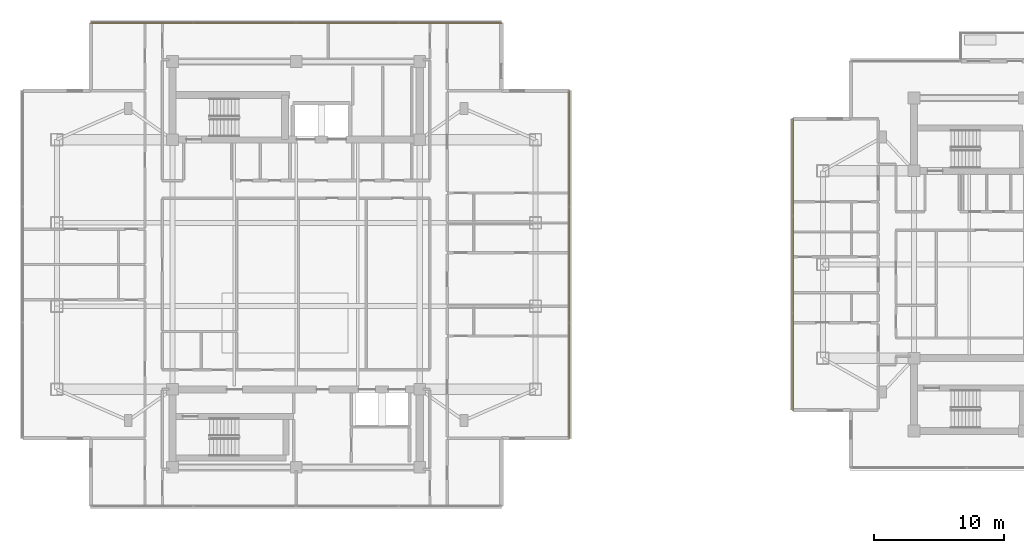
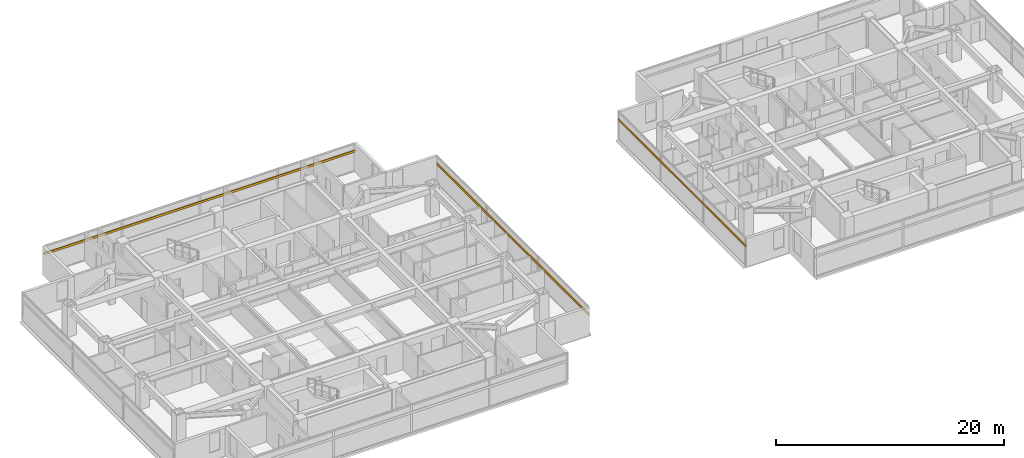
# One storey, part 23 of 26: 3 shading devices.
"""IFC4 building model written with IfcOpenShell, lengths in metres."""

from ifc_helpers import new_model, si_unit, direction, frame, origin, origin_2d, place, context, subcontext, project, spatial, rectangle, extrude, material, material_profile, profile_set, type_object, element, save


model = new_model("IFC4")

# Units and contexts
model_context = context("Model", 3, precision=1e-05, world=origin(), true_north=direction((0.0, 1.0)))
body_context = subcontext(model_context, "Body", "Model", "MODEL_VIEW")
ifc_project = project(units=[si_unit("LENGTHUNIT", "METRE"), si_unit("AREAUNIT", "SQUARE_METRE"), si_unit("VOLUMEUNIT", "CUBIC_METRE"), si_unit("PLANEANGLEUNIT", "RADIAN"), si_unit("MASSUNIT", "GRAM", prefix="KILO")], contexts=[model_context])

# Site, building, storey
site_placement = place(None, origin())
site = spatial("IfcSite", under=ifc_project, at=site_placement, CompositionType="ELEMENT")
building_placement = place(site_placement, origin())
building = spatial("IfcBuilding", under=site, at=building_placement, Name="Mirazonda Arch Towers", CompositionType="ELEMENT")
storey_placement = place(building_placement, frame((0.0, 0.0, 203.14990234375)))
storey = spatial("IfcBuildingStorey", under=building, at=storey_placement, Name="L58", CompositionType="ELEMENT", Elevation=203.14990234375)

# Shading devices
ifc_material = material(Name="Kiln-Fired Architectural Terracotta", Category="masonry")
ifc_material_profile_1 = material_profile(ifc_material, rectangle(XDim=0.1201171875, YDim=0.239990234375, at=origin_2d()), Name="TERRA-BAG-120x240")
ifc_profile_set_1 = profile_set([ifc_material_profile_1], Name="Kiln-Fired Architectural Terracotta")
shading_device_type_1 = type_object("IfcShadingDeviceType", Name="BAGUETTE-1", PredefinedType="USERDEFINED", material=ifc_profile_set_1)
shading_device_1_placement = place(storey_placement, frame((41.510009765625, 14.636962890625, 2.181640625), z_axis=(0.0, 1.0, 0.0), x_axis=(-1.0, 0.0, 0.0)))
element("IfcShadingDevice", 1, at=shading_device_1_placement, inside=storey, type_object=shading_device_type_1, Name="L58 Glazed Terracotta Sun-Screen Baguette CW-L58-T1-E", ObjectType="BAGUETTE", PredefinedType="USERDEFINED", context=body_context, shape_type="SweptSolid", body=[
    extrude(rectangle(XDim=0.1201171875, YDim=0.239990234375, at=origin_2d()), origin(), (0.0, 0.0, 1.0), 26.72607421875),
])
shading_device_2_placement = place(storey_placement, frame((4.705078125, 46.577880859375, 2.181640625), z_axis=(1.0, 0.0, 0.0), x_axis=(0.0, 1.0, 0.0)))
element("IfcShadingDevice", 2, at=shading_device_2_placement, inside=storey, type_object=shading_device_type_1, Name="L58 Glazed Terracotta Sun-Screen Baguette CW-L58-T1-N", ObjectType="BAGUETTE", PredefinedType="USERDEFINED", context=body_context, shape_type="SweptSolid", body=[
    extrude(rectangle(XDim=0.1201171875, YDim=0.239990234375, at=origin_2d()), origin(), (0.0, 0.0, 1.0), 31.58984375),
])
ifc_material_profile_2 = material_profile(ifc_material, rectangle(XDim=0.10009765625, YDim=0.199951171875, at=origin_2d()), Name="TERRA-BAG-100x200")
ifc_profile_set_2 = profile_set([ifc_material_profile_2], Name="Kiln-Fired Architectural Terracotta")
shading_device_type_2 = type_object("IfcShadingDeviceType", Name="BAGUETTE-2", PredefinedType="USERDEFINED", material=ifc_profile_set_2)
shading_device_3_placement = place(storey_placement, frame((58.694580078125, 39.198486328125, 2.181640625), z_axis=(0.0, -1.0, 0.0), x_axis=(1.0, 0.0, 0.0)))
element("IfcShadingDevice", 3, at=shading_device_3_placement, inside=storey, type_object=shading_device_type_2, Name="L58 Glazed Terracotta Sun-Screen Baguette CW-L58-T2-W", ObjectType="BAGUETTE", PredefinedType="USERDEFINED", context=body_context, shape_type="SweptSolid", body=[
    extrude(rectangle(XDim=0.10009765625, YDim=0.199951171875, at=origin_2d()), origin(), (0.0, 0.0, 1.0), 22.39697265625),
])

save(model, "model.ifc")
